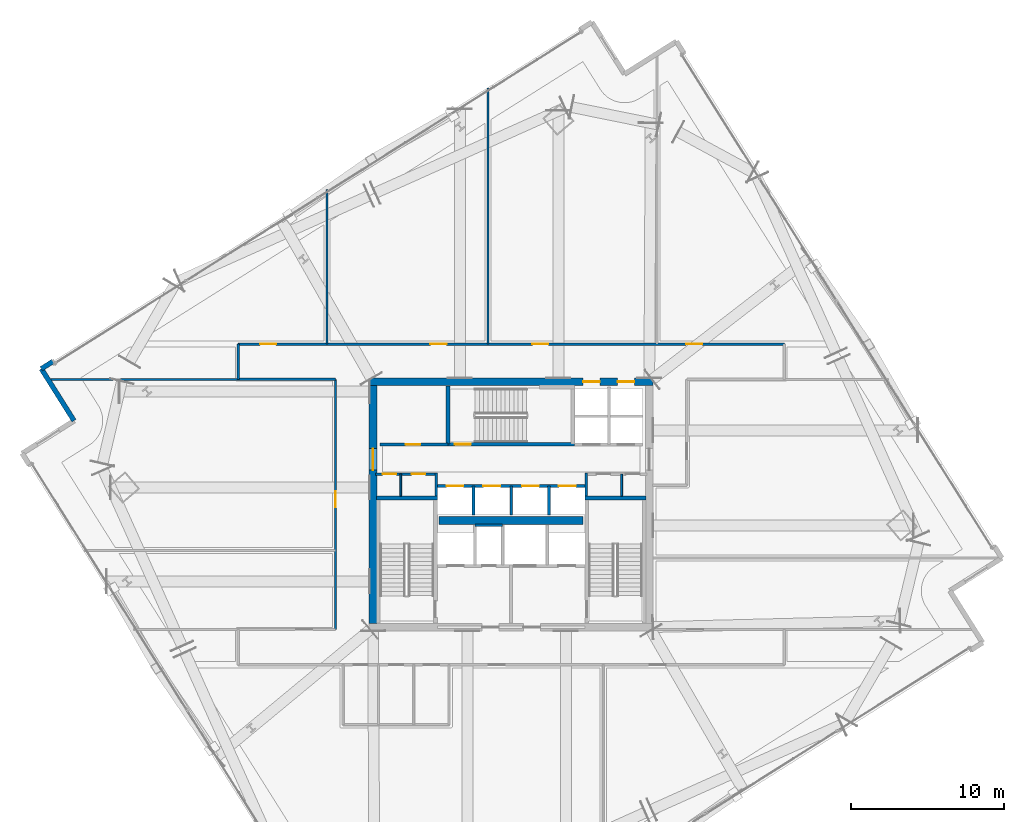
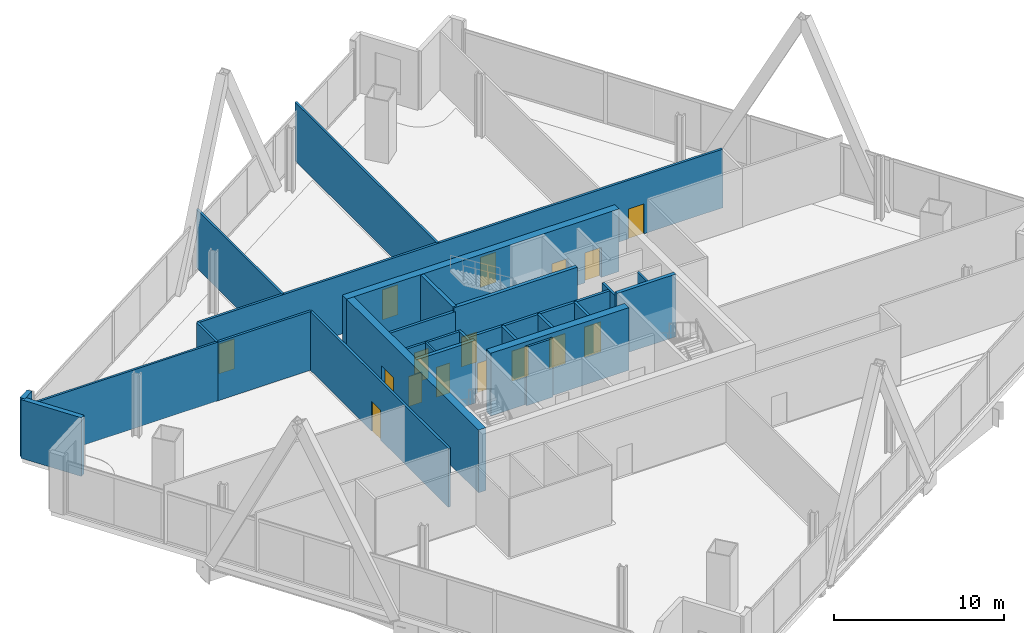
# One storey, part 23 of 29: 27 walls, 16 doors, 16 openings.
"""IFC4 building model written with IfcOpenShell, lengths in metres."""

from ifc_helpers import new_model, si_unit, direction, frame, frame_2d, origin, place, context, subcontext, project, spatial, rectangle, extrude, material, layer, layer_set, type_object, element, fill, save


model = new_model("IFC4")

# Units and contexts
model_context = context("Model", 3, precision=1e-05, world=origin(), true_north=direction((0.0, 1.0)))
body_context = subcontext(model_context, "Body", "Model", "MODEL_VIEW")
ifc_project = project(units=[si_unit("LENGTHUNIT", "METRE"), si_unit("AREAUNIT", "SQUARE_METRE"), si_unit("VOLUMEUNIT", "CUBIC_METRE"), si_unit("PLANEANGLEUNIT", "RADIAN"), si_unit("MASSUNIT", "GRAM", prefix="KILO")], contexts=[model_context])

# Site, building, storey
site_placement = place(None, origin())
site = spatial("IfcSite", under=ifc_project, at=site_placement, CompositionType="ELEMENT")
building_placement = place(site_placement, origin())
building = spatial("IfcBuilding", under=site, at=building_placement, Name="Haldenkirk Collegiate Tower", CompositionType="ELEMENT")
storey_placement = place(building_placement, frame((0.0, 0.0, 136.199951171875)))
storey = spatial("IfcBuildingStorey", under=building, at=storey_placement, Name="L33", CompositionType="ELEMENT", Elevation=136.199951171875)

# Wall, openings, doors
ifc_material_1 = material(Name="Concrete f'c 55 MPa", Category="concrete")
ifc_layer_1 = layer(ifc_material_1, 0.5)
ifc_layer_set_1 = layer_set([ifc_layer_1], Name="Concrete f'c 55 MPa")
wall_type_1 = type_object("IfcWallType", Name="WL-CORE-500", PredefinedType="SHEAR", material=ifc_layer_set_1)
wall_1_placement = place(storey_placement, frame((26.75, 34.0, 0.0), z_axis=(0.0, 0.0, 1.0), x_axis=(1.0, 0.0, 0.0)))
wall_1 = element("IfcWall", 1, at=wall_1_placement, inside=storey, type_object=wall_type_1, Name="L33 central core shear wall N", PredefinedType="SHEAR", context=body_context, shape_type="SweptSolid", body=[
    extrude(rectangle(XDim=18.5, YDim=0.5, at=frame_2d((9.25, 0.0))), origin(), (0.0, 0.0, 1.0), 4.5),
])
opening_1_placement = place(wall_1_placement, frame((13.93505859375, 0.0, 0.0)))
opening_1 = element("IfcOpeningElement", 2, at=opening_1_placement, cuts=wall_1, Name="Opening LD-11", PredefinedType="OPENING", context=body_context, shape_type="SweptSolid", body=[
    extrude(rectangle(XDim=1.10009765625, YDim=2.14990234375, at=frame_2d((0.550048828125, 1.074951171875))), frame((0.0, 0.260009765625, 0.0), z_axis=(0.0, -1.0, 0.0), x_axis=(1.0, 0.0, 0.0)), (0.0, 0.0, 1.0), 0.52001953125),
])
opening_2_placement = place(wall_1_placement, frame((16.18505859375, 0.0, 0.0)))
opening_2 = element("IfcOpeningElement", 3, at=opening_2_placement, cuts=wall_1, Name="Opening LD-11", PredefinedType="OPENING", context=body_context, shape_type="SweptSolid", body=[
    extrude(rectangle(XDim=1.10009765625, YDim=2.14990234375, at=frame_2d((0.550048828125, 1.074951171875))), frame((0.0, 0.260009765625, 0.0), z_axis=(0.0, -1.0, 0.0), x_axis=(1.0, 0.0, 0.0)), (0.0, 0.0, 1.0), 0.52001953125),
])
ifc_material_2 = material(Name="Brushed architectural stainless steel", Category="steel")
ifc_layer_2 = layer(ifc_material_2, 0.06005859375)
ifc_layer_set_2 = layer_set([ifc_layer_2], Name="Brushed architectural stainless steel")
door_type_1 = type_object("IfcDoorType", Name="LD-PASS-1100", OperationType="NOTDEFINED", PredefinedType="DOOR", material=ifc_layer_set_2)
door_1_placement = place(opening_1_placement, origin())
door_1 = element("IfcDoor", 4, at=door_1_placement, inside=storey, type_object=door_type_1, Name="L33 Elevator PM3 sliding landing door", OperationType="SLIDING_TO_LEFT", OverallHeight=2.14990234375, OverallWidth=1.10009765625, PredefinedType="DOOR", context=body_context, shape_type="SweptSolid", body=[
    extrude(rectangle(XDim=1.10009765625, YDim=2.14990234375, at=frame_2d((0.550048828125, 1.074951171875))), frame((0.0, 0.02490234375, 0.0), z_axis=(0.0, -1.0, 0.0), x_axis=(1.0, 0.0, 0.0)), (0.0, 0.0, 1.0), 0.050048828125),
])
fill(opening_1, door_1)
door_2_placement = place(opening_2_placement, origin())
door_2 = element("IfcDoor", 5, at=door_2_placement, inside=storey, type_object=door_type_1, Name="L33 Elevator PM4 sliding landing door", OperationType="SLIDING_TO_LEFT", OverallHeight=2.14990234375, OverallWidth=1.10009765625, PredefinedType="DOOR", context=body_context, shape_type="SweptSolid", body=[
    extrude(rectangle(XDim=1.10009765625, YDim=2.14990234375, at=frame_2d((0.550048828125, 1.074951171875))), frame((0.0, 0.02490234375, 0.0), z_axis=(0.0, -1.0, 0.0), x_axis=(1.0, 0.0, 0.0)), (0.0, 0.0, 1.0), 0.050048828125),
])
fill(opening_2, door_2)

# Wall, opening, door
wall_2_placement = place(storey_placement, frame((27.0, 18.25, 0.0), z_axis=(0.0, 0.0, 1.0), x_axis=(0.0, 1.0, 0.0)))
wall_2 = element("IfcWall", 6, at=wall_2_placement, inside=storey, type_object=wall_type_1, Name="L33 central core shear wall W", PredefinedType="SHEAR", context=body_context, shape_type="SweptSolid", body=[
    extrude(rectangle(XDim=15.5, YDim=0.5, at=frame_2d((7.75, 0.0))), origin(), (0.0, 0.0, 1.0), 4.5),
])
opening_3_placement = place(wall_2_placement, frame((9.989990234375, 0.0, 0.0)))
opening_3 = element("IfcOpeningElement", 7, at=opening_3_placement, cuts=wall_2, Name="Opening D-03", PredefinedType="OPENING", context=body_context, shape_type="SweptSolid", body=[
    extrude(rectangle(XDim=1.39990234375, YDim=2.199951171875, at=frame_2d((0.699951171875, 1.10009765625))), frame((0.0, 0.260009765625, 0.0), z_axis=(0.0, -1.0, 0.0), x_axis=(1.0, 0.0, 0.0)), (0.0, 0.0, 1.0), 0.52001953125),
])
ifc_material_3 = material(Name="Galvanized fire-rated hollow steel door", Category="steel")
ifc_layer_3 = layer(ifc_material_3, 0.06005859375)
ifc_layer_set_3 = layer_set([ifc_layer_3], Name="Galvanized fire-rated hollow steel door")
door_type_2 = type_object("IfcDoorType", Name="DR-LOBBY-FD90-1400", OperationType="NOTDEFINED", PredefinedType="DOOR", material=ifc_layer_set_3)
door_3_placement = place(opening_3_placement, origin())
door_3 = element("IfcDoor", 8, at=door_3_placement, inside=storey, type_object=door_type_2, Name="L33 west lift lobby portal", OperationType="DOUBLE_DOOR_SINGLE_SWING", OverallHeight=2.199951171875, OverallWidth=1.39990234375, PredefinedType="DOOR", context=body_context, shape_type="SweptSolid", body=[
    extrude(rectangle(XDim=1.39990234375, YDim=2.199951171875, at=frame_2d((0.699951171875, 1.10009765625))), frame((0.0, 0.02490234375, 0.0), z_axis=(0.0, -1.0, 0.0), x_axis=(1.0, 0.0, 0.0)), (0.0, 0.0, 1.0), 0.050048828125),
])
fill(opening_3, door_3)

# Walls
wall_3_placement = place(storey_placement, frame((31.31005859375, 24.949951171875, 0.0), z_axis=(0.0, 0.0, 1.0), x_axis=(1.0, 0.0, 0.0)))
element("IfcWall", 9, at=wall_3_placement, inside=storey, type_object=wall_type_1, Name="L33 central core spine shear wall", PredefinedType="SHEAR", context=body_context, shape_type="SweptSolid", body=[
    extrude(rectangle(XDim=9.3798828125, YDim=0.5, at=frame_2d((4.68994140625, 0.0))), origin(), (0.0, 0.0, 1.0), 4.5),
])
ifc_material_4 = material(Name="Precast concrete f'c 40 MPa", Category="concrete")
ifc_layer_4 = layer(ifc_material_4, 0.320068359375)
ifc_layer_set_4 = layer_set([ifc_layer_4], Name="Precast concrete f'c 40 MPa")
wall_type_2 = type_object("IfcWallType", Name="WL-EXT-TWR-320", PredefinedType="STANDARD", material=ifc_layer_set_4)
wall_4_placement = place(storey_placement, frame((5.378173828125, 34.84228515625, 0.0), z_axis=(0.0, 0.0, 1.0), x_axis=(0.846164898331, 0.53292116193, 0.0)))
element("IfcWall", 10, at=wall_4_placement, inside=storey, type_object=wall_type_2, Name="L33 precast corner pier NL", PredefinedType="STANDARD", context=body_context, shape_type="SweptSolid", body=[
    extrude(rectangle(XDim=0.900146484375, YDim=0.320068359375, at=frame_2d((0.4501953125, 0.0))), origin(), (0.0, 0.0, 1.0), 4.2099609375),
])
wall_5_placement = place(storey_placement, frame((7.509765625, 31.45751953125, 0.0), z_axis=(0.0, 0.0, 1.0), x_axis=(-0.532892588268, 0.846182893569, 0.0)))
element("IfcWall", 11, at=wall_5_placement, inside=storey, type_object=wall_type_2, Name="L33 bronze precast notch wall 08", PredefinedType="STANDARD", context=body_context, shape_type="SweptSolid", body=[
    extrude(rectangle(XDim=4.0, YDim=0.320068359375, at=frame_2d((2.0, 0.0))), origin(), (0.0, 0.0, 1.0), 4.2099609375),
])

# Wall, openings, doors
ifc_material_5 = material(Name="Acoustic fire-rated gypsum partition", Category="concrete")
ifc_layer_5 = layer(ifc_material_5, 0.159912109375)
ifc_layer_set_5 = layer_set([ifc_layer_5], Name="Acoustic fire-rated gypsum partition")
wall_type_3 = type_object("IfcWallType", Name="WL-INT-CORR-160", PredefinedType="PARTITIONING", material=ifc_layer_set_5)
wall_6_placement = place(storey_placement, frame((27.14990234375, 27.97998046875, 0.0), z_axis=(0.0, 0.0, 1.0), x_axis=(1.0, 0.0, 0.0)))
wall_6 = element("IfcWall", 12, at=wall_6_placement, inside=storey, type_object=wall_type_3, Name="L33 interior partition IW-L33-VCSW-N", PredefinedType="PARTITIONING", context=body_context, shape_type="SweptSolid", body=[
    extrude(rectangle(XDim=4.050048828125, YDim=0.159912109375, at=frame_2d((2.02490234375, 0.0))), origin(), (0.0, 0.0, 1.0), 4.2099609375),
])
opening_4_placement = place(wall_6_placement, frame((0.469970703125, 0.0, 0.0)))
opening_4 = element("IfcOpeningElement", 13, at=opening_4_placement, cuts=wall_6, Name="Opening D-11", PredefinedType="OPENING", context=body_context, shape_type="SweptSolid", body=[
    extrude(rectangle(XDim=0.89990234375, YDim=2.14990234375, at=frame_2d((0.449951171875, 1.074951171875))), frame((0.0, 0.08984375, 0.0), z_axis=(0.0, -1.0, 0.0), x_axis=(1.0, 0.0, 0.0)), (0.0, 0.0, 1.0), 0.179931640625),
])
opening_5_placement = place(wall_6_placement, frame((2.360107421875, 0.0, 0.0)))
opening_5 = element("IfcOpeningElement", 14, at=opening_5_placement, cuts=wall_6, Name="Opening D-11", PredefinedType="OPENING", context=body_context, shape_type="SweptSolid", body=[
    extrude(rectangle(XDim=0.89990234375, YDim=2.14990234375, at=frame_2d((0.449951171875, 1.074951171875))), frame((0.0, 0.08984375, 0.0), z_axis=(0.0, -1.0, 0.0), x_axis=(1.0, 0.0, 0.0)), (0.0, 0.0, 1.0), 0.179931640625),
])
ifc_material_6 = material(Name="Solid-core architectural oak fire door", Category="wood")
ifc_layer_6 = layer(ifc_material_6, 0.06005859375)
ifc_layer_set_6 = layer_set([ifc_layer_6], Name="Solid-core architectural oak fire door")
door_type_3 = type_object("IfcDoorType", Name="DR-INT-FD60-900", OperationType="NOTDEFINED", PredefinedType="DOOR", material=ifc_layer_set_6)
door_4_placement = place(opening_4_placement, origin())
door_4 = element("IfcDoor", 15, at=door_4_placement, inside=storey, type_object=door_type_3, Name="L33 core AV closet door", OperationType="SINGLE_SWING_RIGHT", OverallHeight=2.14990234375, OverallWidth=0.89990234375, PredefinedType="DOOR", context=body_context, shape_type="SweptSolid", body=[
    extrude(rectangle(XDim=0.89990234375, YDim=2.14990234375, at=frame_2d((0.449951171875, 1.074951171875))), frame((0.0, 0.02490234375, 0.0), z_axis=(0.0, -1.0, 0.0), x_axis=(1.0, 0.0, 0.0)), (0.0, 0.0, 1.0), 0.050048828125),
])
fill(opening_4, door_4)
door_5_placement = place(opening_5_placement, origin())
door_5 = element("IfcDoor", 16, at=door_5_placement, inside=storey, type_object=door_type_3, Name="L33 core supply closet door", OperationType="SINGLE_SWING_LEFT", OverallHeight=2.14990234375, OverallWidth=0.89990234375, PredefinedType="DOOR", context=body_context, shape_type="SweptSolid", body=[
    extrude(rectangle(XDim=0.89990234375, YDim=2.14990234375, at=frame_2d((0.449951171875, 1.074951171875))), frame((0.0, 0.02490234375, 0.0), z_axis=(0.0, -1.0, 0.0), x_axis=(1.0, 0.0, 0.0)), (0.0, 0.0, 1.0), 0.050048828125),
])
fill(opening_5, door_5)

# Walls
for number, where, z_axis, x_axis, name in (
    (17, (31.1201171875, 26.5400390625, 0.0), (0.0, 0.0, 1.0), (0.0, 1.0, 0.0), "L33 interior partition IW-L33-VCSW-E"),
    (18, (40.8798828125, 26.5400390625, 0.0), (0.0, 0.0, 1.0), (0.0, 1.0, 0.0), "L33 interior partition IW-L33-VCSE-W"),
):
    element("IfcWall", number, at=place(storey_placement, frame(where, z_axis=z_axis, x_axis=x_axis)), inside=storey, type_object=wall_type_3, Name=name, PredefinedType="PARTITIONING", context=body_context, shape_type="SweptSolid", body=[
        extrude(rectangle(XDim=1.510009765625, YDim=0.159912109375, at=frame_2d((0.7548828125, 0.0))), origin(), (0.0, 0.0, 1.0), 4.2099609375),
    ])

# Wall, openings, doors
wall_7_placement = place(storey_placement, frame((18.199951171875, 36.449951171875, 0.0), z_axis=(0.0, 0.0, 1.0), x_axis=(1.0, 0.0, 0.0)))
wall_7 = element("IfcWall", 19, at=wall_7_placement, inside=storey, type_object=wall_type_3, Name="L33 interior partition IW-L33-CN", PredefinedType="PARTITIONING", context=body_context, shape_type="SweptSolid", body=[
    extrude(rectangle(XDim=35.60009765625, YDim=0.159912109375, at=frame_2d((17.800048828125, 0.0))), origin(), (0.0, 0.0, 1.0), 4.2099609375),
])
opening_6_placement = place(wall_7_placement, frame((1.43701171875, 0.0, 0.0)))
opening_6 = element("IfcOpeningElement", 20, at=opening_6_placement, cuts=wall_7, Name="Opening D-09", PredefinedType="OPENING", context=body_context, shape_type="SweptSolid", body=[
    extrude(rectangle(XDim=1.050048828125, YDim=2.14990234375, at=frame_2d((0.52490234375, 1.074951171875))), frame((0.0, 0.08984375, 0.0), z_axis=(0.0, -1.0, 0.0), x_axis=(1.0, 0.0, 0.0)), (0.0, 0.0, 1.0), 0.179931640625),
])
opening_7_placement = place(wall_7_placement, frame((12.534912109375, 0.0, 0.0)))
opening_7 = element("IfcOpeningElement", 21, at=opening_7_placement, cuts=wall_7, Name="Opening D-09", PredefinedType="OPENING", context=body_context, shape_type="SweptSolid", body=[
    extrude(rectangle(XDim=1.050048828125, YDim=2.14990234375, at=frame_2d((0.52490234375, 1.074951171875))), frame((0.0, 0.08984375, 0.0), z_axis=(0.0, -1.0, 0.0), x_axis=(1.0, 0.0, 0.0)), (0.0, 0.0, 1.0), 0.179931640625),
])
opening_8_placement = place(wall_7_placement, frame((19.175048828125, 0.0, 0.0)))
opening_8 = element("IfcOpeningElement", 22, at=opening_8_placement, cuts=wall_7, Name="Opening D-09", PredefinedType="OPENING", context=body_context, shape_type="SweptSolid", body=[
    extrude(rectangle(XDim=1.050048828125, YDim=2.14990234375, at=frame_2d((0.52490234375, 1.074951171875))), frame((0.0, 0.08984375, 0.0), z_axis=(0.0, -1.0, 0.0), x_axis=(1.0, 0.0, 0.0)), (0.0, 0.0, 1.0), 0.179931640625),
])
opening_9_placement = place(wall_7_placement, frame((29.205078125, 0.0, 0.0)))
opening_9 = element("IfcOpeningElement", 23, at=opening_9_placement, cuts=wall_7, Name="Opening D-09", PredefinedType="OPENING", context=body_context, shape_type="SweptSolid", body=[
    extrude(rectangle(XDim=1.050048828125, YDim=2.14990234375, at=frame_2d((0.52490234375, 1.074951171875))), frame((0.0, 0.08984375, 0.0), z_axis=(0.0, -1.0, 0.0), x_axis=(1.0, 0.0, 0.0)), (0.0, 0.0, 1.0), 0.179931640625),
])
ifc_layer_7 = layer(ifc_material_6, 0.06005859375)
ifc_layer_set_7 = layer_set([ifc_layer_7], Name="Solid-core architectural oak fire door")
door_type_4 = type_object("IfcDoorType", Name="DR-INT-FD60-1050", OperationType="NOTDEFINED", PredefinedType="DOOR", material=ifc_layer_set_7)
door_6_placement = place(opening_6_placement, origin())
door_6 = element("IfcDoor", 24, at=door_6_placement, inside=storey, type_object=door_type_4, Name="L33 Treaty Archive Store 3 door", OperationType="SINGLE_SWING_RIGHT", OverallHeight=2.14990234375, OverallWidth=1.050048828125, PredefinedType="DOOR", context=body_context, shape_type="SweptSolid", body=[
    extrude(rectangle(XDim=1.050048828125, YDim=2.14990234375, at=frame_2d((0.52490234375, 1.074951171875))), frame((0.0, 0.02490234375, 0.0), z_axis=(0.0, -1.0, 0.0), x_axis=(1.0, 0.0, 0.0)), (0.0, 0.0, 1.0), 0.050048828125),
])
fill(opening_6, door_6)
door_7_placement = place(opening_7_placement, origin())
door_7 = element("IfcDoor", 25, at=door_7_placement, inside=storey, type_object=door_type_4, Name="L33 Student Reading Lounge 4 door", OperationType="SINGLE_SWING_LEFT", OverallHeight=2.14990234375, OverallWidth=1.050048828125, PredefinedType="DOOR", context=body_context, shape_type="SweptSolid", body=[
    extrude(rectangle(XDim=1.050048828125, YDim=2.14990234375, at=frame_2d((0.52490234375, 1.074951171875))), frame((0.0, 0.02490234375, 0.0), z_axis=(0.0, -1.0, 0.0), x_axis=(1.0, 0.0, 0.0)), (0.0, 0.0, 1.0), 0.050048828125),
])
fill(opening_7, door_7)
door_8_placement = place(opening_8_placement, origin())
door_8 = element("IfcDoor", 26, at=door_8_placement, inside=storey, type_object=door_type_4, Name="L33 Reading Commons Lounge 5 door", OperationType="SINGLE_SWING_RIGHT", OverallHeight=2.14990234375, OverallWidth=1.050048828125, PredefinedType="DOOR", context=body_context, shape_type="SweptSolid", body=[
    extrude(rectangle(XDim=1.050048828125, YDim=2.14990234375, at=frame_2d((0.52490234375, 1.074951171875))), frame((0.0, 0.02490234375, 0.0), z_axis=(0.0, -1.0, 0.0), x_axis=(1.0, 0.0, 0.0)), (0.0, 0.0, 1.0), 0.050048828125),
])
fill(opening_8, door_8)
door_9_placement = place(opening_9_placement, origin())
door_9 = element("IfcDoor", 27, at=door_9_placement, inside=storey, type_object=door_type_4, Name="L33 Periodical Reading Lounge 6 door", OperationType="SINGLE_SWING_LEFT", OverallHeight=2.14990234375, OverallWidth=1.050048828125, PredefinedType="DOOR", context=body_context, shape_type="SweptSolid", body=[
    extrude(rectangle(XDim=1.050048828125, YDim=2.14990234375, at=frame_2d((0.52490234375, 1.074951171875))), frame((0.0, 0.02490234375, 0.0), z_axis=(0.0, -1.0, 0.0), x_axis=(1.0, 0.0, 0.0)), (0.0, 0.0, 1.0), 0.050048828125),
])
fill(opening_9, door_9)

# Wall
wall_8_placement = place(storey_placement, frame((18.199951171875, 34.14990234375, 0.0), z_axis=(0.0, 0.0, 1.0), x_axis=(1.0, 0.0, 0.0)))
element("IfcWall", 28, at=wall_8_placement, inside=storey, type_object=wall_type_3, Name="L33 interior partition IW-L33-CNW", PredefinedType="PARTITIONING", context=body_context, shape_type="SweptSolid", body=[
    extrude(rectangle(XDim=6.35009765625, YDim=0.159912109375, at=frame_2d((3.175048828125, 0.0))), origin(), (0.0, 0.0, 1.0), 4.2099609375),
])

# Wall, opening, door
wall_9_placement = place(storey_placement, frame((24.550048828125, 17.85009765625, 0.0), z_axis=(0.0, 0.0, 1.0), x_axis=(0.0, 1.0, 0.0)))
wall_9 = element("IfcWall", 29, at=wall_9_placement, inside=storey, type_object=wall_type_3, Name="L33 interior partition IW-L33-CW", PredefinedType="PARTITIONING", context=body_context, shape_type="SweptSolid", body=[
    extrude(rectangle(XDim=16.2998046875, YDim=0.159912109375, at=frame_2d((8.14990234375, 0.0))), origin(), (0.0, 0.0, 1.0), 4.2099609375),
])
opening_10_placement = place(wall_9_placement, frame((7.967041015625, 0.0, 0.0)))
opening_10 = element("IfcOpeningElement", 30, at=opening_10_placement, cuts=wall_9, Name="Opening D-09", PredefinedType="OPENING", context=body_context, shape_type="SweptSolid", body=[
    extrude(rectangle(XDim=1.050048828125, YDim=2.14990234375, at=frame_2d((0.52490234375, 1.074951171875))), frame((0.0, 0.08984375, 0.0), z_axis=(0.0, -1.0, 0.0), x_axis=(1.0, 0.0, 0.0)), (0.0, 0.0, 1.0), 0.179931640625),
])
door_10_placement = place(opening_10_placement, origin())
door_10 = element("IfcDoor", 31, at=door_10_placement, inside=storey, type_object=door_type_4, Name="L33 Rare Folio Vault 8 door", OperationType="SINGLE_SWING_LEFT", OverallHeight=2.14990234375, OverallWidth=1.050048828125, PredefinedType="DOOR", context=body_context, shape_type="SweptSolid", body=[
    extrude(rectangle(XDim=1.050048828125, YDim=2.14990234375, at=frame_2d((0.52490234375, 1.074951171875))), frame((0.0, 0.02490234375, 0.0), z_axis=(0.0, -1.0, 0.0), x_axis=(1.0, 0.0, 0.0)), (0.0, 0.0, 1.0), 0.050048828125),
])
fill(opening_10, door_10)

# Walls
wall_10_placement = place(storey_placement, frame((18.199951171875, 34.14990234375, 0.0), z_axis=(0.0, 0.0, 1.0), x_axis=(0.0, 1.0, 0.0)))
element("IfcWall", 32, at=wall_10_placement, inside=storey, type_object=wall_type_3, Name="L33 interior partition IW-L33-CNL", PredefinedType="PARTITIONING", context=body_context, shape_type="SweptSolid", body=[
    extrude(rectangle(XDim=2.300048828125, YDim=0.159912109375, at=frame_2d((1.14990234375, 0.0))), origin(), (0.0, 0.0, 1.0), 4.2099609375),
])
ifc_layer_8 = layer(ifc_material_5, 0.139892578125)
ifc_layer_set_8 = layer_set([ifc_layer_8], Name="Acoustic fire-rated gypsum partition")
wall_type_4 = type_object("IfcWallType", Name="WL-INT-DIV-140", PredefinedType="PARTITIONING", material=ifc_layer_set_8)
wall_11_placement = place(storey_placement, frame((5.861572265625, 34.14990234375, 0.0), z_axis=(0.0, 0.0, 1.0), x_axis=(1.0, 0.0, 0.0)))
element("IfcWall", 33, at=wall_11_placement, inside=storey, type_object=wall_type_4, Name="L33 interior partition IW-L33-BWN", PredefinedType="PARTITIONING", context=body_context, shape_type="SweptSolid", body=[
    extrude(rectangle(XDim=12.33837890625, YDim=0.139892578125, at=frame_2d((6.169189453125, 0.0))), origin(), (0.0, 0.0, 1.0), 4.2099609375),
])
wall_12_placement = place(storey_placement, frame((24.0, 36.449951171875, 0.0), z_axis=(0.0, 0.0, 1.0), x_axis=(0.0, 1.0, 0.0)))
element("IfcWall", 34, at=wall_12_placement, inside=storey, type_object=wall_type_4, Name="L33 interior partition IW-L33-RN1", PredefinedType="PARTITIONING", context=body_context, shape_type="SweptSolid", body=[
    extrude(rectangle(XDim=10.072021484375, YDim=0.139892578125, at=frame_2d((5.0361328125, 0.0))), origin(), (0.0, 0.0, 1.0), 4.2099609375),
])
wall_13_placement = place(storey_placement, frame((34.5, 36.449951171875, 0.0), z_axis=(0.0, 0.0, 1.0), x_axis=(0.0, 1.0, 0.0)))
element("IfcWall", 35, at=wall_13_placement, inside=storey, type_object=wall_type_4, Name="L33 interior partition IW-L33-RN2", PredefinedType="PARTITIONING", context=body_context, shape_type="SweptSolid", body=[
    extrude(rectangle(XDim=16.68408203125, YDim=0.139892578125, at=frame_2d((8.342041015625, 0.0))), origin(), (0.0, 0.0, 1.0), 4.2099609375),
])
ifc_material_7 = material(Name="Fire-rated gypsum shaftboard assembly", Category="concrete")
ifc_layer_9 = layer(ifc_material_7, 0.179931640625)
ifc_layer_set_9 = layer_set([ifc_layer_9], Name="Fire-rated gypsum shaftboard assembly")
wall_type_5 = type_object("IfcWallType", Name="WL-INT-SHAFT-180", PredefinedType="PARTITIONING", material=ifc_layer_set_9)
wall_14_placement = place(storey_placement, frame((33.64990234375, 24.64990234375, 0.0), z_axis=(0.0, 0.0, 1.0), x_axis=(1.0, 0.0, 0.0)))
element("IfcWall", 36, at=wall_14_placement, inside=storey, type_object=wall_type_5, Name="L33 interior partition IW-L33-RSRN", PredefinedType="PARTITIONING", context=body_context, shape_type="SweptSolid", body=[
    extrude(rectangle(XDim=1.800048828125, YDim=0.179931640625, at=frame_2d((0.89990234375, 0.0))), origin(), (0.0, 0.0, 1.0), 4.2099609375),
])

# Wall, opening, door
wall_15_placement = place(storey_placement, frame((27.449951171875, 29.89990234375, 0.0), z_axis=(0.0, 0.0, 1.0), x_axis=(1.0, 0.0, 0.0)))
wall_15 = element("IfcWall", 37, at=wall_15_placement, inside=storey, type_object=wall_type_5, Name="L33 interior partition IW-L33-PLS", PredefinedType="PARTITIONING", context=body_context, shape_type="SweptSolid", body=[
    extrude(rectangle(XDim=4.429931640625, YDim=0.179931640625, at=frame_2d((2.21484375, 0.0))), origin(), (0.0, 0.0, 1.0), 4.2099609375),
])
opening_11_placement = place(wall_15_placement, frame((1.675048828125, 0.0, 0.0)))
opening_11 = element("IfcOpeningElement", 38, at=opening_11_placement, cuts=wall_15, Name="Opening D-05", PredefinedType="OPENING", context=body_context, shape_type="SweptSolid", body=[
    extrude(rectangle(XDim=0.949951171875, YDim=2.14990234375, at=frame_2d((0.47509765625, 1.074951171875))), frame((0.0, 0.099853515625, 0.0), z_axis=(0.0, -1.0, 0.0), x_axis=(1.0, 0.0, 0.0)), (0.0, 0.0, 1.0), 0.199951171875),
])
ifc_layer_10 = layer(ifc_material_3, 0.06005859375)
ifc_layer_set_10 = layer_set([ifc_layer_10], Name="Galvanized fire-rated hollow steel door")
door_type_5 = type_object("IfcDoorType", Name="DR-INT-FD90-950", OperationType="NOTDEFINED", PredefinedType="DOOR", material=ifc_layer_set_10)
door_11_placement = place(opening_11_placement, origin())
door_11 = element("IfcDoor", 39, at=door_11_placement, inside=storey, type_object=door_type_5, Name="L33 PL machine room door", OperationType="SINGLE_SWING_RIGHT", OverallHeight=2.14990234375, OverallWidth=0.949951171875, PredefinedType="DOOR", context=body_context, shape_type="SweptSolid", body=[
    extrude(rectangle(XDim=0.949951171875, YDim=2.14990234375, at=frame_2d((0.47509765625, 1.074951171875))), frame((0.0, 0.02490234375, 0.0), z_axis=(0.0, -1.0, 0.0), x_axis=(1.0, 0.0, 0.0)), (0.0, 0.0, 1.0), 0.050048828125),
])
fill(opening_11, door_11)

# Wall, openings, doors
wall_16_placement = place(storey_placement, frame((31.199951171875, 27.199951171875, 0.0), z_axis=(0.0, 0.0, 1.0), x_axis=(1.0, 0.0, 0.0)))
wall_16 = element("IfcWall", 40, at=wall_16_placement, inside=storey, type_object=wall_type_5, Name="L33 interior partition IW-L33-PHN", PredefinedType="PARTITIONING", context=body_context, shape_type="SweptSolid", body=[
    extrude(rectangle(XDim=9.60009765625, YDim=0.179931640625, at=frame_2d((4.800048828125, 0.0))), origin(), (0.0, 0.0, 1.0), 4.2099609375),
])
opening_12_placement = place(wall_16_placement, frame((0.590087890625, 0.0, 0.0)))
opening_12 = element("IfcOpeningElement", 41, at=opening_12_placement, cuts=wall_16, Name="Opening LD-11", PredefinedType="OPENING", context=body_context, shape_type="SweptSolid", body=[
    extrude(rectangle(XDim=1.10009765625, YDim=2.14990234375, at=frame_2d((0.550048828125, 1.074951171875))), frame((0.0, 0.099853515625, 0.0), z_axis=(0.0, -1.0, 0.0), x_axis=(1.0, 0.0, 0.0)), (0.0, 0.0, 1.0), 0.199951171875),
])
opening_13_placement = place(wall_16_placement, frame((2.989990234375, 0.0, 0.0)))
opening_13 = element("IfcOpeningElement", 42, at=opening_13_placement, cuts=wall_16, Name="Opening LD-11", PredefinedType="OPENING", context=body_context, shape_type="SweptSolid", body=[
    extrude(rectangle(XDim=1.10009765625, YDim=2.14990234375, at=frame_2d((0.550048828125, 1.074951171875))), frame((0.0, 0.099853515625, 0.0), z_axis=(0.0, -1.0, 0.0), x_axis=(1.0, 0.0, 0.0)), (0.0, 0.0, 1.0), 0.199951171875),
])
opening_14_placement = place(wall_16_placement, frame((5.510009765625, 0.0, 0.0)))
opening_14 = element("IfcOpeningElement", 43, at=opening_14_placement, cuts=wall_16, Name="Opening LD-11", PredefinedType="OPENING", context=body_context, shape_type="SweptSolid", body=[
    extrude(rectangle(XDim=1.10009765625, YDim=2.14990234375, at=frame_2d((0.550048828125, 1.074951171875))), frame((0.0, 0.099853515625, 0.0), z_axis=(0.0, -1.0, 0.0), x_axis=(1.0, 0.0, 0.0)), (0.0, 0.0, 1.0), 0.199951171875),
])
opening_15_placement = place(wall_16_placement, frame((7.909912109375, 0.0, 0.0)))
opening_15 = element("IfcOpeningElement", 44, at=opening_15_placement, cuts=wall_16, Name="Opening LD-11", PredefinedType="OPENING", context=body_context, shape_type="SweptSolid", body=[
    extrude(rectangle(XDim=1.10009765625, YDim=2.14990234375, at=frame_2d((0.550048828125, 1.074951171875))), frame((0.0, 0.099853515625, 0.0), z_axis=(0.0, -1.0, 0.0), x_axis=(1.0, 0.0, 0.0)), (0.0, 0.0, 1.0), 0.199951171875),
])
door_12_placement = place(opening_12_placement, origin())
door_12 = element("IfcDoor", 45, at=door_12_placement, inside=storey, type_object=door_type_1, Name="L33 Elevator PH1 sliding landing door", OperationType="SLIDING_TO_LEFT", OverallHeight=2.14990234375, OverallWidth=1.10009765625, PredefinedType="DOOR", context=body_context, shape_type="SweptSolid", body=[
    extrude(rectangle(XDim=1.10009765625, YDim=2.14990234375, at=frame_2d((0.550048828125, 1.074951171875))), frame((0.0, 0.02490234375, 0.0), z_axis=(0.0, -1.0, 0.0), x_axis=(1.0, 0.0, 0.0)), (0.0, 0.0, 1.0), 0.050048828125),
])
fill(opening_12, door_12)
door_13_placement = place(opening_13_placement, origin())
door_13 = element("IfcDoor", 46, at=door_13_placement, inside=storey, type_object=door_type_1, Name="L33 Elevator PH2 sliding landing door", OperationType="SLIDING_TO_LEFT", OverallHeight=2.14990234375, OverallWidth=1.10009765625, PredefinedType="DOOR", context=body_context, shape_type="SweptSolid", body=[
    extrude(rectangle(XDim=1.10009765625, YDim=2.14990234375, at=frame_2d((0.550048828125, 1.074951171875))), frame((0.0, 0.02490234375, 0.0), z_axis=(0.0, -1.0, 0.0), x_axis=(1.0, 0.0, 0.0)), (0.0, 0.0, 1.0), 0.050048828125),
])
fill(opening_13, door_13)
door_14_placement = place(opening_14_placement, origin())
door_14 = element("IfcDoor", 47, at=door_14_placement, inside=storey, type_object=door_type_1, Name="L33 Elevator PH3 sliding landing door", OperationType="SLIDING_TO_LEFT", OverallHeight=2.14990234375, OverallWidth=1.10009765625, PredefinedType="DOOR", context=body_context, shape_type="SweptSolid", body=[
    extrude(rectangle(XDim=1.10009765625, YDim=2.14990234375, at=frame_2d((0.550048828125, 1.074951171875))), frame((0.0, 0.02490234375, 0.0), z_axis=(0.0, -1.0, 0.0), x_axis=(1.0, 0.0, 0.0)), (0.0, 0.0, 1.0), 0.050048828125),
])
fill(opening_14, door_14)
door_15_placement = place(opening_15_placement, origin())
door_15 = element("IfcDoor", 48, at=door_15_placement, inside=storey, type_object=door_type_1, Name="L33 Elevator PH4 sliding landing door", OperationType="SLIDING_TO_LEFT", OverallHeight=2.14990234375, OverallWidth=1.10009765625, PredefinedType="DOOR", context=body_context, shape_type="SweptSolid", body=[
    extrude(rectangle(XDim=1.10009765625, YDim=2.14990234375, at=frame_2d((0.550048828125, 1.074951171875))), frame((0.0, 0.02490234375, 0.0), z_axis=(0.0, -1.0, 0.0), x_axis=(1.0, 0.0, 0.0)), (0.0, 0.0, 1.0), 0.050048828125),
])
fill(opening_15, door_15)

# Walls
for number, where, z_axis, x_axis, name in (
    (49, (33.5400390625, 25.300048828125, 0.0), (0.0, 0.0, 1.0), (0.0, 1.0, 0.0), "L33 interior partition IW-L33-PHV1"),
    (50, (36.0, 25.300048828125, 0.0), (0.0, 0.0, 1.0), (0.0, 1.0, 0.0), "L33 interior partition IW-L33-PHV2"),
    (51, (38.4599609375, 25.300048828125, 0.0), (0.0, 0.0, 1.0), (0.0, 1.0, 0.0), "L33 interior partition IW-L33-PHV3"),
):
    element("IfcWall", number, at=place(storey_placement, frame(where, z_axis=z_axis, x_axis=x_axis)), inside=storey, type_object=wall_type_5, Name=name, PredefinedType="PARTITIONING", context=body_context, shape_type="SweptSolid", body=[
        extrude(rectangle(XDim=1.89990234375, YDim=0.179931640625, at=frame_2d((0.949951171875, 0.0))), origin(), (0.0, 0.0, 1.0), 4.2099609375),
    ])
ifc_layer_11 = layer(ifc_material_5, 0.1201171875)
ifc_layer_set_11 = layer_set([ifc_layer_11], Name="Acoustic fire-rated gypsum partition")
wall_type_6 = type_object("IfcWallType", Name="WL-INT-WET-120", PredefinedType="PARTITIONING", material=ifc_layer_set_11)
for number, where, z_axis, x_axis, name in (
    (52, (28.800048828125, 26.5400390625, 0.0), (0.0, 0.0, 1.0), (0.0, 1.0, 0.0), "L33 interior partition IW-L33-VCSW-M"),
    (53, (43.199951171875, 26.5400390625, 0.0), (0.0, 0.0, 1.0), (0.0, 1.0, 0.0), "L33 interior partition IW-L33-VCSE-M"),
):
    element("IfcWall", number, at=place(storey_placement, frame(where, z_axis=z_axis, x_axis=x_axis)), inside=storey, type_object=wall_type_6, Name=name, PredefinedType="PARTITIONING", context=body_context, shape_type="SweptSolid", body=[
        extrude(rectangle(XDim=1.43994140625, YDim=0.1201171875, at=frame_2d((0.719970703125, 0.0))), origin(), (0.0, 0.0, 1.0), 4.2099609375),
    ])
ifc_layer_12 = layer(ifc_material_1, 0.239990234375)
ifc_layer_set_12 = layer_set([ifc_layer_12], Name="Concrete f'c 55 MPa")
wall_type_7 = type_object("IfcWallType", Name="WL-SHAFT-240", PredefinedType="SHEAR", material=ifc_layer_set_12)
for number, where, z_axis, x_axis, name in (
    (54, (27.2099609375, 26.419921875, 0.0), (0.0, 0.0, 1.0), (1.0, 0.0, 0.0), "L33 stair shaft shear wall SW-L33-ST1N"),
    (55, (40.81005859375, 26.419921875, 0.0), (0.0, 0.0, 1.0), (1.0, 0.0, 0.0), "L33 stair shaft shear wall SW-L33-ST2N"),
):
    element("IfcWall", number, at=place(storey_placement, frame(where, z_axis=z_axis, x_axis=x_axis)), inside=storey, type_object=wall_type_7, Name=name, PredefinedType="SHEAR", context=body_context, shape_type="SweptSolid", body=[
        extrude(rectangle(XDim=3.97998046875, YDim=0.239990234375, at=frame_2d((1.989990234375, 0.0))), origin(), (0.0, 0.0, 1.0), 4.5),
    ])

# Wall, opening, door
wall_17_placement = place(storey_placement, frame((31.760009765625, 29.929931640625, 0.0), z_axis=(0.0, 0.0, 1.0), x_axis=(1.0, 0.0, 0.0)))
wall_17 = element("IfcWall", 56, at=wall_17_placement, inside=storey, type_object=wall_type_7, Name="L33 stair shaft shear wall SW-L33-ST3S", PredefinedType="SHEAR", context=body_context, shape_type="SweptSolid", body=[
    extrude(rectangle(XDim=8.3798828125, YDim=0.239990234375, at=frame_2d((4.18994140625, 0.0))), origin(), (0.0, 0.0, 1.0), 4.5),
])
opening_16_placement = place(wall_17_placement, frame((0.56494140625, 0.0, 0.0)))
opening_16 = element("IfcOpeningElement", 57, at=opening_16_placement, cuts=wall_17, Name="Opening D-01", PredefinedType="OPENING", context=body_context, shape_type="SweptSolid", body=[
    extrude(rectangle(XDim=1.050048828125, YDim=2.14990234375, at=frame_2d((0.52490234375, 1.074951171875))), frame((0.0, 0.1298828125, 0.0), z_axis=(0.0, -1.0, 0.0), x_axis=(1.0, 0.0, 0.0)), (0.0, 0.0, 1.0), 0.260009765625),
])
ifc_layer_13 = layer(ifc_material_3, 0.06005859375)
ifc_layer_set_13 = layer_set([ifc_layer_13], Name="Galvanized fire-rated hollow steel door")
door_type_6 = type_object("IfcDoorType", Name="DR-STAIR-FD90-1050", OperationType="NOTDEFINED", PredefinedType="DOOR", material=ifc_layer_set_13)
door_16_placement = place(opening_16_placement, origin())
door_16 = element("IfcDoor", 58, at=door_16_placement, inside=storey, type_object=door_type_6, Name="L33 lift lobby Stair 3 door", OperationType="SINGLE_SWING_LEFT", OverallHeight=2.14990234375, OverallWidth=1.050048828125, PredefinedType="DOOR", context=body_context, shape_type="SweptSolid", body=[
    extrude(rectangle(XDim=1.050048828125, YDim=2.14990234375, at=frame_2d((0.52490234375, 1.074951171875))), frame((0.0, 0.02490234375, 0.0), z_axis=(0.0, -1.0, 0.0), x_axis=(1.0, 0.0, 0.0)), (0.0, 0.0, 1.0), 0.050048828125),
])
fill(opening_16, door_16)

# Wall
wall_18_placement = place(storey_placement, frame((31.8798828125, 29.929931640625, 0.0), z_axis=(0.0, 0.0, 1.0), x_axis=(0.0, 1.0, 0.0)))
element("IfcWall", 59, at=wall_18_placement, inside=storey, type_object=wall_type_7, Name="L33 stair shaft shear wall SW-L33-ST3W", PredefinedType="SHEAR", context=body_context, shape_type="SweptSolid", body=[
    extrude(rectangle(XDim=3.7900390625, YDim=0.239990234375, at=frame_2d((1.89501953125, 0.0))), origin(), (0.0, 0.0, 1.0), 4.5),
])

save(model, "model.ifc")
